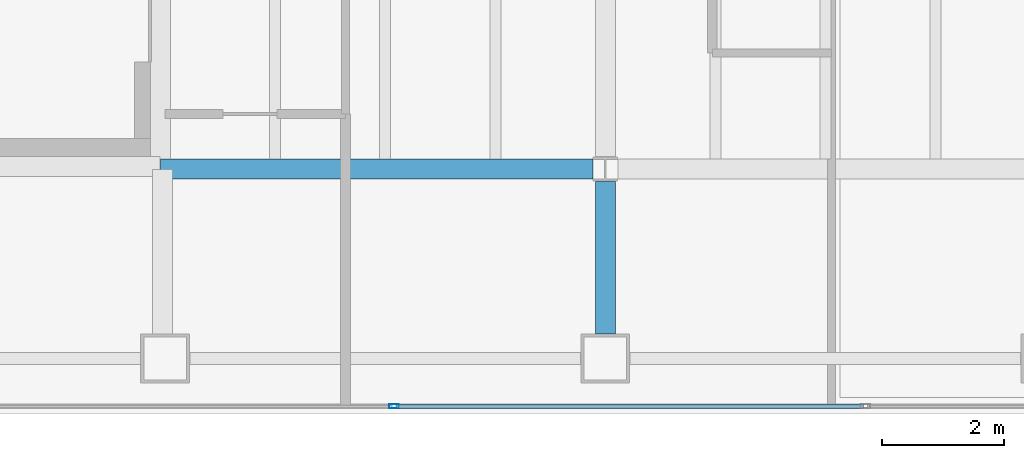
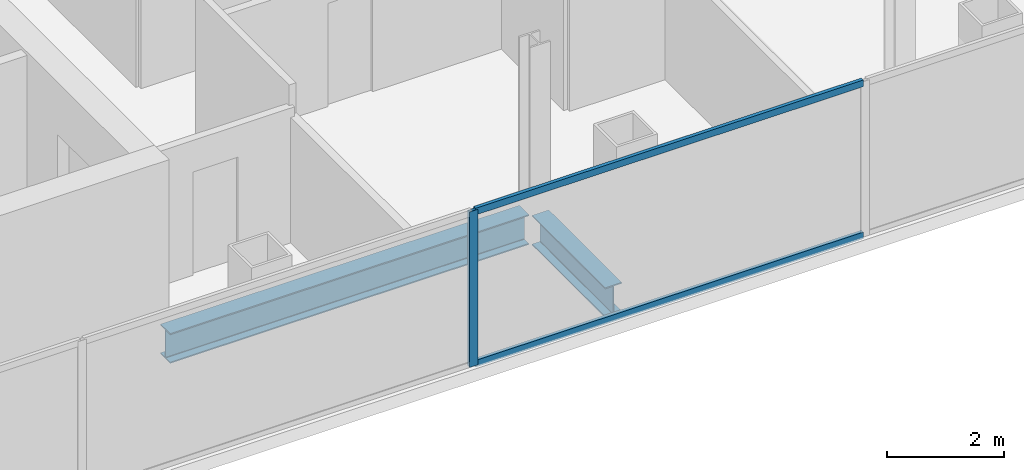
# One storey, part 4 of 23: 3 members, 2 beams, 1 element without a shape of its own.
"""IFC4 building model written with IfcOpenShell, lengths in metres."""

import ifcopenshell
import ifcopenshell.guid

model = None  # the IFC model being written
_history = None  # IfcOwnerHistory: only IFC2X3 demands one
_inside = {}  # id of a spatial element -> (the spatial element, [elements in it])
_under = {}  # id of a project, library or spatial element -> (it, [spatial elements below it])
_declared = {}  # id of a project -> (the project, [libraries it declares])
_typed = {}  # id of a type object -> (the type object, [elements of that type])
_made_of = {}  # id of a material, layer set ... -> (it, [elements and type objects made of it])


def new_model(schema):
    """Start an empty IFC model of exactly this schema.

    Asked for "IFC4X3", IfcOpenShell would pick the latest addendum, in which some entities
    have other attributes; the version numbers below select the first issue.
    IFC2X3 requires an IfcOwnerHistory on every rooted entity: one is made here for all.
    """
    global model, _history
    if schema == "IFC4X3":
        model = ifcopenshell.file(schema_version=(4, 3, 0, 0))
    else:
        model = ifcopenshell.file(schema=schema)
    _inside.clear()
    _under.clear()
    _declared.clear()
    _typed.clear()
    _made_of.clear()
    _history = None
    if model.schema == "IFC2X3":
        org = make("IfcOrganization", Name="unknown")
        user = make(
            "IfcPersonAndOrganization",
            ThePerson=make("IfcPerson", FamilyName="unknown"),
            TheOrganization=org,
        )
        app = make(
            "IfcApplication",
            ApplicationDeveloper=org,
            Version="unknown",
            ApplicationFullName="unknown",
            ApplicationIdentifier="unknown",
        )
        _history = make(
            "IfcOwnerHistory",
            OwningUser=user,
            OwningApplication=app,
            ChangeAction="ADDED",
            CreationDate=0,
        )
    return model


def make(cls, **values):
    """One entity of the class cls with the attributes given. An attribute that is None is left unset."""
    return model.create_entity(
        cls, **{name: value for name, value in values.items() if value is not None}
    )


def rooted(cls, **values):
    """An entity with a GlobalId (a new one), such as an element, a storey or a relation."""
    return make(cls, GlobalId=ifcopenshell.guid.new(), OwnerHistory=_history, **values)


def si_unit(unit_type, name, prefix=None):
    """IfcSIUnit, for example si_unit("LENGTHUNIT", "METRE", prefix="MILLI")."""
    return make("IfcSIUnit", UnitType=unit_type, Prefix=prefix, Name=name)


def assignment(units):
    """IfcUnitAssignment: the units of a project."""
    return None if units is None else make("IfcUnitAssignment", Units=units)


def point(xyz):
    """IfcCartesianPoint."""
    return None if xyz is None else make("IfcCartesianPoint", Coordinates=xyz)


def direction(xyz):
    """IfcDirection."""
    return None if xyz is None else make("IfcDirection", DirectionRatios=xyz)


def frame(location, z_axis=None, x_axis=None):
    """IfcAxis2Placement3D, a coordinate frame: its origin and axes. An axis left out is left unset."""
    return make(
        "IfcAxis2Placement3D",
        Location=point(location),
        Axis=direction(z_axis),
        RefDirection=direction(x_axis),
    )


def frame_2d(location, x_axis=None):
    """IfcAxis2Placement2D, a coordinate frame in the plane: its origin and x axis."""
    return make(
        "IfcAxis2Placement2D", Location=point(location), RefDirection=direction(x_axis)
    )


def origin():
    """The frame at (0, 0, 0) with its axes left unset."""
    return frame((0.0, 0.0, 0.0))


def origin_2d():
    """The frame at (0, 0) in the plane with its x axis left unset."""
    return frame_2d((0.0, 0.0))


def place(relative_to, where):
    """IfcLocalPlacement: puts the frame where relative to a parent placement (None: the world)."""
    return make(
        "IfcLocalPlacement", PlacementRelTo=relative_to, RelativePlacement=where
    )


def context(
    kind, dimensions, precision=None, world=None, true_north=None, identifier=None
):
    """IfcGeometricRepresentationContext, for example the 3D "Model" context."""
    return make(
        "IfcGeometricRepresentationContext",
        ContextIdentifier=identifier,
        ContextType=kind,
        CoordinateSpaceDimension=dimensions,
        Precision=precision,
        WorldCoordinateSystem=world,
        TrueNorth=true_north,
    )


def subcontext(parent, identifier, kind, view, scale=None):
    """IfcGeometricRepresentationSubContext, for example "Body" below "Model"."""
    return make(
        "IfcGeometricRepresentationSubContext",
        ContextIdentifier=identifier,
        ContextType=kind,
        ParentContext=parent,
        TargetScale=scale,
        TargetView=view,
    )


def project(units=None, contexts=None):
    """IfcProject with its units and contexts."""
    return rooted(
        "IfcProject",
        Name="project",
        RepresentationContexts=contexts,
        UnitsInContext=assignment(units),
    )


def spatial(cls, under=None, at=None, **own):
    """A site, building, storey or space (cls), placed at a placement, below another one or the project."""
    s = rooted(cls, ObjectPlacement=at, **own)
    if under is not None:
        _under.setdefault(under.id(), (under, []))[1].append(s)
    return s


def profile(cls, at=None, kind="AREA", **sizes):
    """A parametric profile (cls). Its sizes go by their IFC names, for example OverallWidth=200.0."""
    return make(cls, ProfileType=kind, Position=at, **sizes)


def hollow_rectangle(**sizes):
    """IfcRectangleHollowProfileDef."""
    return profile("IfcRectangleHollowProfileDef", **sizes)


def i_section(**sizes):
    """IfcIShapeProfileDef."""
    return profile("IfcIShapeProfileDef", **sizes)


def extrude(swept, where, along, depth):
    """IfcExtrudedAreaSolid: the profile swept, set in the frame where, extruded along a direction by depth."""
    return make(
        "IfcExtrudedAreaSolid",
        SweptArea=swept,
        Position=where,
        ExtrudedDirection=direction(along),
        Depth=depth,
    )


def shape(context_of_items, identifier, shape_type, items):
    """IfcShapeRepresentation: the items that make up one representation, for example the "Body"."""
    return make(
        "IfcShapeRepresentation",
        ContextOfItems=context_of_items,
        RepresentationIdentifier=identifier,
        RepresentationType=shape_type,
        Items=items,
    )


def material(Name=None, Category=None):
    """IfcMaterial."""
    return make("IfcMaterial", Name=Name, Category=Category)


def material_profile(
    of_material, cross_section, Name=None, Category=None, Priority=None
):
    """IfcMaterialProfile: a cross section and its material."""
    return make(
        "IfcMaterialProfile",
        Name=Name,
        Material=of_material,
        Profile=cross_section,
        Priority=Priority,
        Category=Category,
    )


def profile_set(profiles, Name=None, composite=None):
    """IfcMaterialProfileSet."""
    return make(
        "IfcMaterialProfileSet",
        Name=Name,
        MaterialProfiles=profiles,
        CompositeProfile=composite,
    )


def made_of(thing, what):
    """Note that an element or type object is made of a material, layer set ...; save() writes the relation."""
    if what is not None:
        _made_of.setdefault(what.id(), (what, []))[1].append(thing)
    return thing


def type_object(cls, material=None, **own):
    """A type object (cls), such as IfcWallType, which elements share."""
    return made_of(rooted(cls, **own), material)


def element(
    cls,
    number,
    at=None,
    inside=None,
    cuts=None,
    type_object=None,
    material=None,
    context=None,
    identifier="Body",
    shape_type=None,
    held_by="IfcProductDefinitionShape",
    body=None,
    shapes=None,
    **own,
):
    """One element of the class cls, such as IfcWall. Its Tag is "e" and its number.

    at: its placement. inside: the storey or other place that contains it. cuts: it is an
    opening in that element (IfcRelVoidsElement). A single representation is given by context,
    identifier, shape_type and body (its items); several are given by shapes. held_by: the class
    of the entity that holds the representations. save() writes the other relations.
    """
    e = rooted(cls, Tag="e%d" % number, ObjectPlacement=at, **own)
    if body is not None:
        shapes = [shape(context, identifier, shape_type, body)]
    if shapes is not None:
        e.Representation = make(held_by, Representations=shapes)
    if inside is not None:
        _inside.setdefault(inside.id(), (inside, []))[1].append(e)
    if cuts is not None:
        rooted(
            "IfcRelVoidsElement", RelatingBuildingElement=cuts, RelatedOpeningElement=e
        )
    if type_object is not None:
        _typed.setdefault(type_object.id(), (type_object, []))[1].append(e)
    return made_of(e, material)


def aggregate(whole, parts):
    """IfcRelAggregates: a whole, such as a stair, and the parts it consists of."""
    return rooted("IfcRelAggregates", RelatingObject=whole, RelatedObjects=parts)


def save(model, path):
    """Write the relations noted so far, then the file.

    IfcRelAggregates (storeys below a building ...), IfcRelContainedInSpatialStructure (elements
    in a storey), IfcRelDefinesByType, IfcRelAssociatesMaterial and IfcRelDeclares: one each for
    every whole, place, type object, material and project.
    """
    for whole, parts in _under.values():
        aggregate(whole, parts)
    for where, things in _inside.values():
        rooted(
            "IfcRelContainedInSpatialStructure",
            RelatedElements=things,
            RelatingStructure=where,
        )
    for kind, things in _typed.values():
        rooted("IfcRelDefinesByType", RelatedObjects=things, RelatingType=kind)
    for what, things in _made_of.values():
        rooted("IfcRelAssociatesMaterial", RelatedObjects=things, RelatingMaterial=what)
    for by, libraries in _declared.values():
        rooted("IfcRelDeclares", RelatingContext=by, RelatedDefinitions=libraries)
    model.write(path)


model = new_model("IFC4")

# Units and contexts
model_context = context("Model", 3, precision=1e-05, world=origin(), true_north=direction((0.0, 1.0)))
body_context = subcontext(model_context, "Body", "Model", "MODEL_VIEW")
ifc_project = project(units=[si_unit("LENGTHUNIT", "METRE"), si_unit("AREAUNIT", "SQUARE_METRE"), si_unit("VOLUMEUNIT", "CUBIC_METRE"), si_unit("PLANEANGLEUNIT", "RADIAN"), si_unit("MASSUNIT", "GRAM", prefix="KILO")], contexts=[model_context])

# Site, building, storey
site_placement = place(None, origin())
site = spatial("IfcSite", under=ifc_project, at=site_placement, CompositionType="ELEMENT")
building_placement = place(site_placement, origin())
building = spatial("IfcBuilding", under=site, at=building_placement, Name="Cobrela Telecom Tower", CompositionType="ELEMENT")
storey_placement = place(building_placement, frame((0.0, 0.0, 197.75)))
storey = spatial("IfcBuildingStorey", under=building, at=storey_placement, Name="L50", CompositionType="ELEMENT", Elevation=197.75)

# Beams
ifc_material_1 = material(Name="Steel ASTM A992 Grade 50", Category="steel")
ifc_material_profile_1 = material_profile(ifc_material_1, i_section(OverallWidth=0.327880859375, OverallDepth=0.6220703125, WebThickness=0.015380859375, FlangeThickness=0.0244140625, FilletRadius=0.014892578125, at=origin_2d()), Name="W24X131")
ifc_profile_set_1 = profile_set([ifc_material_profile_1], Name="Steel ASTM A992 Grade 50")
beam_type = type_object("IfcBeamType", Name="BM-GIRD-06", PredefinedType="USERDEFINED", material=ifc_profile_set_1)
beam_1_placement = place(storey_placement, frame((14.324951171875, 7.199951171875, -0.571044921875), z_axis=(1.0, 0.0, 0.0), x_axis=(0.0, 1.0, 0.0)))
element("IfcBeam", 1, at=beam_1_placement, inside=storey, type_object=beam_type, Name="L50 Primary Girder X07", ObjectType="GIRDER", PredefinedType="USERDEFINED", context=body_context, shape_type="SweptSolid", body=[
    extrude(i_section(OverallWidth=0.327880859375, OverallDepth=0.6220703125, WebThickness=0.015380859375, FlangeThickness=0.0244140625, FilletRadius=0.014892578125, at=origin_2d()), origin(), (0.0, 0.0, 1.0), 7.070556640625),
])
beam_2_placement = place(storey_placement, frame((21.60009765625, 4.5048828125, -0.571044921875), z_axis=(0.0, 1.0, 0.0), x_axis=(-1.0, 0.0, 0.0)))
element("IfcBeam", 2, at=beam_2_placement, inside=storey, type_object=beam_type, Name="L50 Primary Girder Y32", ObjectType="GIRDER", PredefinedType="USERDEFINED", context=body_context, shape_type="SweptSolid", body=[
    extrude(i_section(OverallWidth=0.327880859375, OverallDepth=0.6220703125, WebThickness=0.015380859375, FlangeThickness=0.0244140625, FilletRadius=0.014892578125, at=origin_2d()), origin(), (0.0, 0.0, 1.0), 2.49072265625),
])

# Curtain wall, members
ifc_material_2 = material(Name="Anodized Bronze Aluminium 6063-T6", Category="aluminium")
curtain_wall_type = type_object("IfcCurtainWallType", Name="CW-SYS-OFF-LO", PredefinedType="USERDEFINED", material=ifc_material_2)
curtain_wall_placement = place(storey_placement, origin())
curtain_wall = element("IfcCurtainWall", 3, at=curtain_wall_placement, inside=storey, type_object=curtain_wall_type, Name="L50 Unitised Bronze Curtain Wall 17", ObjectType="UNITISED CURTAIN WALL", PredefinedType="USERDEFINED")
ifc_material_profile_2 = material_profile(ifc_material_2, hollow_rectangle(XDim=0.070068359375, YDim=0.159912109375, WallThickness=0.00390625, at=origin_2d()), Name="ALU 70x160x4")
ifc_profile_set_2 = profile_set([ifc_material_profile_2], Name="Anodized Bronze Aluminium 6063-T6")
member_type_1 = type_object("IfcMemberType", Name="CW-SYS-OFF-LO-MUL", PredefinedType="MULLION", material=ifc_profile_set_2)
member_1_placement = place(storey_placement, frame((18.14208984375, 3.320068359375, 0.0), z_axis=(0.0, 0.0, 1.0), x_axis=(0.0, -1.0, 0.0)))
member_1 = element("IfcMember", 4, at=member_1_placement, type_object=member_type_1, Name="CW-OFF-LO mullion 4", PredefinedType="MULLION", context=body_context, shape_type="SweptSolid", body=[
    extrude(hollow_rectangle(XDim=0.070068359375, YDim=0.159912109375, WallThickness=0.00390625, at=origin_2d()), origin(), (0.0, 0.0, 1.0), 3.239990234375),
])
ifc_material_profile_3 = material_profile(ifc_material_2, hollow_rectangle(XDim=0.070068359375, YDim=0.139892578125, WallThickness=0.00390625, at=origin_2d()), Name="ALU 70x140x4")
ifc_profile_set_3 = profile_set([ifc_material_profile_3], Name="Anodized Bronze Aluminium 6063-T6")
member_type_2 = type_object("IfcMemberType", Name="CW-SYS-OFF-LO-TRN", PredefinedType="USERDEFINED", material=ifc_profile_set_3)
member_2_placement = place(storey_placement, frame((25.822998046875, 3.320068359375, 0.034912109375), z_axis=(-1.0, 0.0, 0.0), x_axis=(0.0, -1.0, 0.0)))
member_2 = element("IfcMember", 5, at=member_2_placement, type_object=member_type_2, Name="CW-OFF-LO transom 3.1", ObjectType="TRANSOM", PredefinedType="USERDEFINED", context=body_context, shape_type="SweptSolid", body=[
    extrude(hollow_rectangle(XDim=0.070068359375, YDim=0.139892578125, WallThickness=0.00390625, at=origin_2d()), origin(), (0.0, 0.0, 1.0), 7.64599609375),
])
member_3_placement = place(storey_placement, frame((25.822998046875, 3.320068359375, 3.205078125), z_axis=(-1.0, 0.0, 0.0), x_axis=(0.0, -1.0, 0.0)))
member_3 = element("IfcMember", 6, at=member_3_placement, type_object=member_type_2, Name="CW-OFF-LO transom 3.2", ObjectType="TRANSOM", PredefinedType="USERDEFINED", context=body_context, shape_type="SweptSolid", body=[
    extrude(hollow_rectangle(XDim=0.070068359375, YDim=0.139892578125, WallThickness=0.00390625, at=origin_2d()), origin(), (0.0, 0.0, 1.0), 7.64599609375),
])
aggregate(curtain_wall, [member_1, member_2, member_3])

save(model, "model.ifc")
